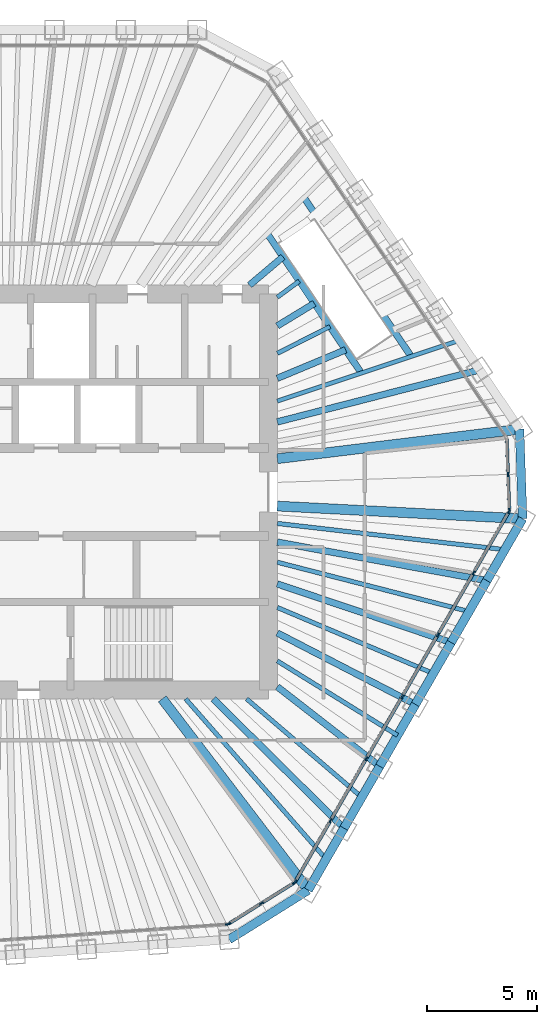
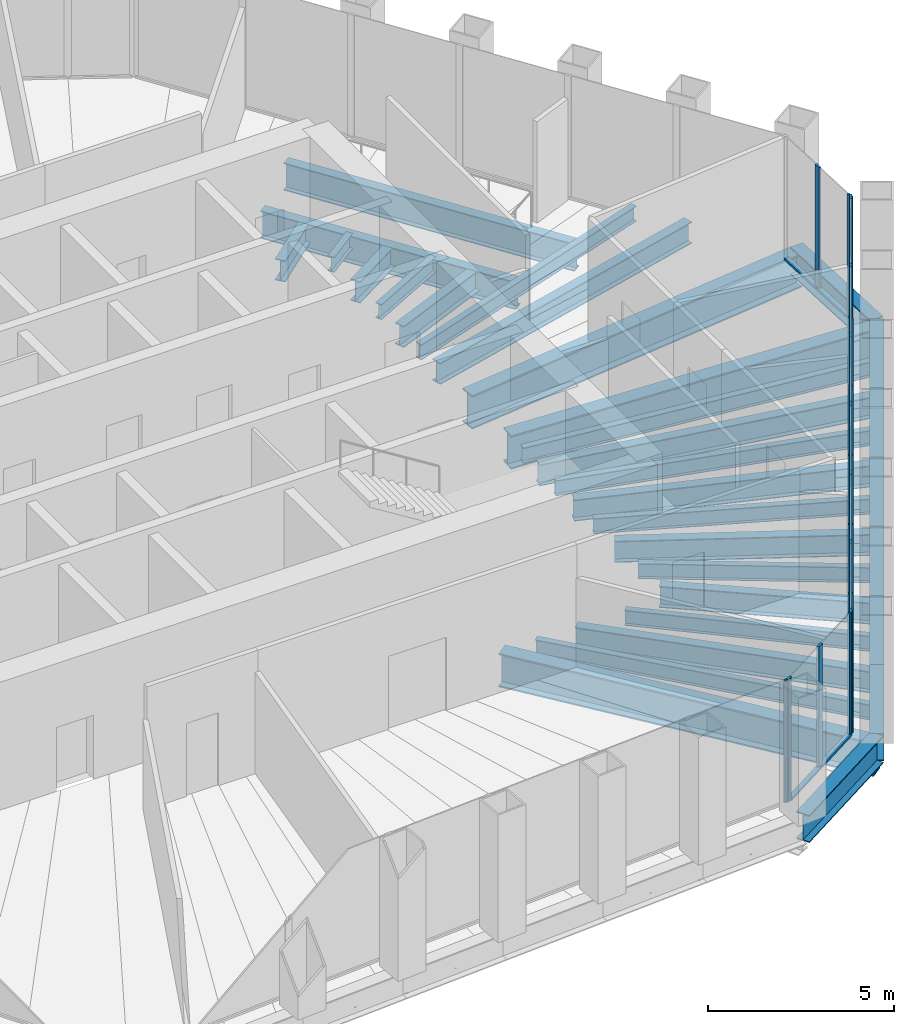
# One storey, part 7 of 17: 31 beams, 23 members, 4 elements without a shape of their own.
"""IFC4 building model written with IfcOpenShell, lengths in metres."""

from ifc_helpers import new_model, si_unit, direction, frame, origin, origin_2d, place, context, subcontext, project, spatial, rectangle, i_section, extrude, material, material_profile, profile_set, type_object, element, aggregate, save


model = new_model("IFC4")

# Units and contexts
model_context = context("Model", 3, precision=1e-05, world=origin(), true_north=direction((0.0, 1.0)))
body_context = subcontext(model_context, "Body", "Model", "MODEL_VIEW")
ifc_project = project(units=[si_unit("LENGTHUNIT", "METRE"), si_unit("AREAUNIT", "SQUARE_METRE"), si_unit("VOLUMEUNIT", "CUBIC_METRE"), si_unit("PLANEANGLEUNIT", "RADIAN"), si_unit("MASSUNIT", "GRAM", prefix="KILO")], contexts=[model_context])

# Site, building, storey
site_placement = place(None, origin())
site = spatial("IfcSite", under=ifc_project, at=site_placement, CompositionType="ELEMENT")
building_placement = place(site_placement, origin())
building = spatial("IfcBuilding", under=site, at=building_placement, Name="Qingtian Harvest Tower", CompositionType="ELEMENT")
storey_placement = place(building_placement, frame((0.0, 0.0, 329.199951171875)))
storey = spatial("IfcBuildingStorey", under=building, at=storey_placement, Name="L73", CompositionType="ELEMENT", Elevation=329.199951171875)

# Beams
ifc_material_1 = material(Name="Steel SM570MC", Category="steel")
ifc_material_profile_1 = material_profile(ifc_material_1, i_section(OverallWidth=0.449951171875, OverallDepth=1.10009765625, WebThickness=0.02197265625, FlangeThickness=0.044921875, at=origin_2d()), Name="H1100x450x22x45")
ifc_profile_set_1 = profile_set([ifc_material_profile_1], Name="Steel SM570MC")
beam_type_1 = type_object("IfcBeamType", Name="Corner floor beam FB8 H1100x450x22x45", PredefinedType="BEAM", material=ifc_profile_set_1)
beam_1_placement = place(storey_placement, frame((23.405517578125, 2.85400390625, -0.719970703125), z_axis=(-0.992647039178, -0.121044849583, 0.0), x_axis=(0.121044849583, -0.992647039178, 0.0)))
element("IfcBeam", 1, at=beam_1_placement, inside=storey, type_object=beam_type_1, Name="Floor beam FB8 NE6", PredefinedType="BEAM", context=body_context, shape_type="SweptSolid", body=[
    extrude(i_section(OverallWidth=0.449951171875, OverallDepth=1.10009765625, WebThickness=0.02197265625, FlangeThickness=0.044921875, at=origin_2d()), origin(), (0.0, 0.0, 1.0), 11.087158203125),
])
beam_2_placement = place(storey_placement, frame((23.547607421875, -1.21435546875, -0.719970703125), z_axis=(-0.998672618964, 0.051507282312, 0.0), x_axis=(-0.051507282312, -0.998672618964, 0.0)))
element("IfcBeam", 2, at=beam_2_placement, inside=storey, type_object=beam_type_1, Name="Floor beam FB8 SE0", PredefinedType="BEAM", context=body_context, shape_type="SweptSolid", body=[
    extrude(i_section(OverallWidth=0.449951171875, OverallDepth=1.10009765625, WebThickness=0.02197265625, FlangeThickness=0.044921875, at=origin_2d()), origin(), (0.0, 0.0, 1.0), 11.16259765625),
])
beam_3_placement = place(storey_placement, frame((13.803466796875, -18.091552734375, -0.719970703125), z_axis=(-0.606571927806, 0.795028613572, 0.0), x_axis=(-0.795028613572, -0.606571927806, 0.0)))
element("IfcBeam", 3, at=beam_3_placement, inside=storey, type_object=beam_type_1, Name="Floor beam FB8 SE6", PredefinedType="BEAM", context=body_context, shape_type="SweptSolid", body=[
    extrude(i_section(OverallWidth=0.449951171875, OverallDepth=1.10009765625, WebThickness=0.02197265625, FlangeThickness=0.044921875, at=origin_2d()), origin(), (0.0, 0.0, 1.0), 10.9326171875),
])
ifc_material_2 = material(Name="Steel SN490B", Category="steel")
ifc_material_profile_2 = material_profile(ifc_material_2, i_section(OverallWidth=0.300048828125, OverallDepth=0.699951171875, WebThickness=0.012939453125, FlangeThickness=0.02392578125, at=origin_2d()), Name="H700x300x13x24")
ifc_profile_set_2 = profile_set([ifc_material_profile_2], Name="Steel SN490B")
beam_type_2 = type_object("IfcBeamType", Name="Floor beam FB4 H700x300x13x24", PredefinedType="BEAM", material=ifc_profile_set_2)
beam_4_placement = place(storey_placement, frame((21.58935546875, 5.546630859375, -0.52001953125), z_axis=(-0.96854787986, -0.248827258189, 0.0), x_axis=(0.248827258189, -0.96854787986, 0.0)))
element("IfcBeam", 4, at=beam_4_placement, inside=storey, type_object=beam_type_2, Name="Floor beam FB4 NE5", PredefinedType="BEAM", context=body_context, shape_type="SweptSolid", body=[
    extrude(i_section(OverallWidth=0.300048828125, OverallDepth=0.699951171875, WebThickness=0.012939453125, FlangeThickness=0.02392578125, at=origin_2d()), origin(), (0.0, 0.0, 1.0), 9.48779296875),
])
beam_5_placement = place(storey_placement, frame((21.923583984375, -4.027099609375, -0.52001953125), z_axis=(-0.983546800525, 0.180653511389, 0.0), x_axis=(-0.180653511389, -0.983546800525, 0.0)))
element("IfcBeam", 5, at=beam_5_placement, inside=storey, type_object=beam_type_2, Name="Floor beam FB4 SE1", PredefinedType="BEAM", context=body_context, shape_type="SweptSolid", body=[
    extrude(i_section(OverallWidth=0.300048828125, OverallDepth=0.699951171875, WebThickness=0.012939453125, FlangeThickness=0.02392578125, at=origin_2d()), origin(), (0.0, 0.0, 1.0), 9.68310546875),
])
beam_6_placement = place(storey_placement, frame((20.299560546875, -6.840087890625, -0.52001953125), z_axis=(-0.947647345861, 0.319318818553, 0.0), x_axis=(-0.319318818553, -0.947647345861, 0.0)))
element("IfcBeam", 6, at=beam_6_placement, inside=storey, type_object=beam_type_2, Name="Floor beam FB4 SE2", PredefinedType="BEAM", context=body_context, shape_type="SweptSolid", body=[
    extrude(i_section(OverallWidth=0.300048828125, OverallDepth=0.699951171875, WebThickness=0.012939453125, FlangeThickness=0.02392578125, at=origin_2d()), origin(), (0.0, 0.0, 1.0), 8.336181640625),
])
beam_7_placement = place(storey_placement, frame((18.675537109375, -9.65283203125, -0.52001953125), z_axis=(-0.888354253651, 0.459158708967, 0.0), x_axis=(-0.459158708967, -0.888354253651, 0.0)))
element("IfcBeam", 7, at=beam_7_placement, inside=storey, type_object=beam_type_2, Name="Floor beam FB4 SE3", PredefinedType="BEAM", context=body_context, shape_type="SweptSolid", body=[
    extrude(i_section(OverallWidth=0.300048828125, OverallDepth=0.699951171875, WebThickness=0.012939453125, FlangeThickness=0.02392578125, at=origin_2d()), origin(), (0.0, 0.0, 1.0), 7.064453125),
])
beam_8_placement = place(storey_placement, frame((17.051513671875, -12.4658203125, -0.52001953125), z_axis=(-0.789532919969, 0.613708211029, 0.0), x_axis=(-0.613708211029, -0.789532919969, 0.0)))
element("IfcBeam", 8, at=beam_8_placement, inside=storey, type_object=beam_type_2, Name="Floor beam FB4 SE4", PredefinedType="BEAM", context=body_context, shape_type="SweptSolid", body=[
    extrude(i_section(OverallWidth=0.300048828125, OverallDepth=0.699951171875, WebThickness=0.012939453125, FlangeThickness=0.02392578125, at=origin_2d()), origin(), (0.0, 0.0, 1.0), 5.8916015625),
])
beam_9_placement = place(storey_placement, frame((15.427490234375, -15.278564453125, -0.52001953125), z_axis=(-0.71051769643, 0.703679332552, 0.0), x_axis=(-0.703679332552, -0.71051769643, 0.0)))
element("IfcBeam", 9, at=beam_9_placement, inside=storey, type_object=beam_type_2, Name="Floor beam FB4 SE5", PredefinedType="BEAM", context=body_context, shape_type="SweptSolid", body=[
    extrude(i_section(OverallWidth=0.300048828125, OverallDepth=0.699951171875, WebThickness=0.012939453125, FlangeThickness=0.02392578125, at=origin_2d()), origin(), (0.0, 0.0, 1.0), 8.354248046875),
])
beam_10_placement = place(storey_placement, frame((12.656982421875, 10.684326171875, -0.52001953125), z_axis=(-0.764125269372, -0.645067882247, 0.0), x_axis=(0.645067882247, -0.764125269372, 0.0)))
element("IfcBeam", 10, at=beam_10_placement, inside=storey, type_object=beam_type_2, Name="Floor beam FB4 NE2 (beyond opening)", PredefinedType="BEAM", context=body_context, shape_type="SweptSolid", body=[
    extrude(i_section(OverallWidth=0.300048828125, OverallDepth=0.699951171875, WebThickness=0.012939453125, FlangeThickness=0.02392578125, at=origin_2d()), origin(), (0.0, 0.0, 1.0), 1.9912109375),
])
beam_11_placement = place(storey_placement, frame((14.081298828125, 8.57275390625, -0.52001953125), z_axis=(-0.854148258044, -0.520029569621, 0.0), x_axis=(0.520029569621, -0.854148258044, 0.0)))
element("IfcBeam", 11, at=beam_11_placement, inside=storey, type_object=beam_type_2, Name="Floor beam FB4 NE3 (beyond opening)", PredefinedType="BEAM", context=body_context, shape_type="SweptSolid", body=[
    extrude(i_section(OverallWidth=0.300048828125, OverallDepth=0.699951171875, WebThickness=0.012939453125, FlangeThickness=0.02392578125, at=origin_2d()), origin(), (0.0, 0.0, 1.0), 1.968505859375),
])
beam_12_placement = place(storey_placement, frame((15.505615234375, 6.461181640625, -0.52001953125), z_axis=(-0.923061894728, -0.384651450668, 0.0), x_axis=(0.384651450668, -0.923061894728, 0.0)))
element("IfcBeam", 12, at=beam_12_placement, inside=storey, type_object=beam_type_2, Name="Floor beam FB4 NE4 (beyond opening)", PredefinedType="BEAM", context=body_context, shape_type="SweptSolid", body=[
    extrude(i_section(OverallWidth=0.300048828125, OverallDepth=0.699951171875, WebThickness=0.012939453125, FlangeThickness=0.02392578125, at=origin_2d()), origin(), (0.0, 0.0, 1.0), 3.364501953125),
])
ifc_material_3 = material(Name="Steel SN490B", Category="steel")
ifc_material_profile_3 = material_profile(ifc_material_3, i_section(OverallWidth=0.199951171875, OverallDepth=0.5, WebThickness=0.010009765625, FlangeThickness=0.01611328125, at=origin_2d()), Name="H500x200x10x16")
ifc_profile_set_3 = profile_set([ifc_material_profile_3], Name="Steel SN490B")
beam_type_3 = type_object("IfcBeamType", Name="Floor joist J3 H500x200x10x16", PredefinedType="JOIST", material=ifc_profile_set_3)
beam_13_placement = place(storey_placement, frame((20.68115234375, 6.89306640625, -0.419921875), z_axis=(-0.948688891587, -0.316210984914, 0.0), x_axis=(0.316210984914, -0.948688891587, 0.0)))
element("IfcBeam", 13, at=beam_13_placement, inside=storey, type_object=beam_type_3, Name="Floor joist J3 NE4", PredefinedType="JOIST", context=body_context, shape_type="SweptSolid", body=[
    extrude(i_section(OverallWidth=0.199951171875, OverallDepth=0.5, WebThickness=0.010009765625, FlangeThickness=0.01611328125, at=origin_2d()), origin(), (0.0, 0.0, 1.0), 8.729248046875),
])
beam_14_placement = place(storey_placement, frame((22.735595703125, -2.62060546875, -0.419921875), z_axis=(-0.993421775836, 0.114512773499, 0.0), x_axis=(-0.114512773499, -0.993421775836, 0.0)))
element("IfcBeam", 14, at=beam_14_placement, inside=storey, type_object=beam_type_3, Name="Floor joist J3 SE0", PredefinedType="JOIST", context=body_context, shape_type="SweptSolid", body=[
    extrude(i_section(OverallWidth=0.199951171875, OverallDepth=0.5, WebThickness=0.010009765625, FlangeThickness=0.01611328125, at=origin_2d()), origin(), (0.0, 0.0, 1.0), 10.404052734375),
])
beam_15_placement = place(storey_placement, frame((21.111572265625, -5.43359375, -0.419921875), z_axis=(-0.968438109541, 0.249254143374, 0.0), x_axis=(-0.249254143374, -0.968438109541, 0.0)))
element("IfcBeam", 15, at=beam_15_placement, inside=storey, type_object=beam_type_3, Name="Floor joist J3 SE1", PredefinedType="JOIST", context=body_context, shape_type="SweptSolid", body=[
    extrude(i_section(OverallWidth=0.199951171875, OverallDepth=0.5, WebThickness=0.010009765625, FlangeThickness=0.01611328125, at=origin_2d()), origin(), (0.0, 0.0, 1.0), 8.99560546875),
])
beam_16_placement = place(storey_placement, frame((19.487548828125, -8.246337890625, -0.419921875), z_axis=(-0.92094842321, 0.389684490052, 0.0), x_axis=(-0.389684490052, -0.92094842321, 0.0)))
element("IfcBeam", 16, at=beam_16_placement, inside=storey, type_object=beam_type_3, Name="Floor joist J3 SE2", PredefinedType="JOIST", context=body_context, shape_type="SweptSolid", body=[
    extrude(i_section(OverallWidth=0.199951171875, OverallDepth=0.5, WebThickness=0.010009765625, FlangeThickness=0.01611328125, at=origin_2d()), origin(), (0.0, 0.0, 1.0), 7.696044921875),
])
beam_17_placement = place(storey_placement, frame((17.863525390625, -11.059326171875, -0.419921875), z_axis=(-0.850242474743, 0.526391236765, 0.0), x_axis=(-0.526391236765, -0.850242474743, 0.0)))
element("IfcBeam", 17, at=beam_17_placement, inside=storey, type_object=beam_type_3, Name="Floor joist J3 SE3", PredefinedType="JOIST", context=body_context, shape_type="SweptSolid", body=[
    extrude(i_section(OverallWidth=0.199951171875, OverallDepth=0.5, WebThickness=0.010009765625, FlangeThickness=0.01611328125, at=origin_2d()), origin(), (0.0, 0.0, 1.0), 6.426025390625),
])
beam_18_placement = place(storey_placement, frame((16.239501953125, -13.8720703125, -0.419921875), z_axis=(-0.760351789284, 0.649511475289, 0.0), x_axis=(-0.649511475289, -0.760351789284, 0.0)))
element("IfcBeam", 18, at=beam_18_placement, inside=storey, type_object=beam_type_3, Name="Floor joist J3 SE4", PredefinedType="JOIST", context=body_context, shape_type="SweptSolid", body=[
    extrude(i_section(OverallWidth=0.199951171875, OverallDepth=0.5, WebThickness=0.010009765625, FlangeThickness=0.01611328125, at=origin_2d()), origin(), (0.0, 0.0, 1.0), 6.885498046875),
])
beam_19_placement = place(storey_placement, frame((14.615478515625, -16.68505859375, -0.419921875), z_axis=(-0.658904284354, 0.75222679031, 0.0), x_axis=(-0.75222679031, -0.658904284354, 0.0)))
element("IfcBeam", 19, at=beam_19_placement, inside=storey, type_object=beam_type_3, Name="Floor joist J3 SE5", PredefinedType="JOIST", context=body_context, shape_type="SweptSolid", body=[
    extrude(i_section(OverallWidth=0.199951171875, OverallDepth=0.5, WebThickness=0.010009765625, FlangeThickness=0.01611328125, at=origin_2d()), origin(), (0.0, 0.0, 1.0), 9.684814453125),
])
beam_20_placement = place(storey_placement, frame((13.39794921875, 9.5859375, -0.419921875), z_axis=(-0.80488754683, -0.593427364517, 0.0), x_axis=(0.593427364517, -0.80488754683, 0.0)))
element("IfcBeam", 20, at=beam_20_placement, inside=storey, type_object=beam_type_3, Name="Floor joist J3 NE2 (beyond opening)", PredefinedType="JOIST", context=body_context, shape_type="SweptSolid", body=[
    extrude(i_section(OverallWidth=0.199951171875, OverallDepth=0.5, WebThickness=0.010009765625, FlangeThickness=0.01611328125, at=origin_2d()), origin(), (0.0, 0.0, 1.0), 1.239990234375),
])
beam_21_placement = place(storey_placement, frame((14.79345703125, 7.516845703125, -0.419921875), z_axis=(-0.891535153533, -0.452951509562, 0.0), x_axis=(0.452951509562, -0.891535153533, 0.0)))
element("IfcBeam", 21, at=beam_21_placement, inside=storey, type_object=beam_type_3, Name="Floor joist J3 NE3 (beyond opening)", PredefinedType="JOIST", context=body_context, shape_type="SweptSolid", body=[
    extrude(i_section(OverallWidth=0.199951171875, OverallDepth=0.5, WebThickness=0.010009765625, FlangeThickness=0.01611328125, at=origin_2d()), origin(), (0.0, 0.0, 1.0), 2.684814453125),
])

# Curtain wall, members
ifc_material_4 = material(Name="Bronze-anodised aluminium curtain wall", Category="aluminium")
curtain_wall_type = type_object("IfcCurtainWallType", Name="Curtain wall CW6 executive floors", PredefinedType="USERDEFINED", material=ifc_material_4)
curtain_wall_1_placement = place(storey_placement, origin())
curtain_wall_1 = element("IfcCurtainWall", 22, at=curtain_wall_1_placement, inside=storey, type_object=curtain_wall_type, Name="Curtain wall CW6 L73 NEC", ObjectType="RECESSED CURTAIN WALL", PredefinedType="USERDEFINED")
ifc_material_5 = material(Name="Bronze-anodised aluminium mullion", Category="aluminium")
ifc_material_profile_4 = material_profile(ifc_material_5, rectangle(XDim=0.06494140625, YDim=0.199951171875, at=origin_2d()), Name="AL 65x200")
ifc_profile_set_4 = profile_set([ifc_material_profile_4], Name="Bronze-anodised aluminium mullion")
member_type_1 = type_object("IfcMemberType", Name="Mullion CWM 65x200", PredefinedType="MULLION", material=ifc_profile_set_4)
member_1_placement = place(storey_placement, frame((22.88330078125, 0.799072265625, 0.0), z_axis=(0.0, 0.0, 1.0), x_axis=(0.999390827019, 0.034899496703, 0.0)))
member_1 = element("IfcMember", 23, at=member_1_placement, type_object=member_type_1, Name="CW6 mullion 2", PredefinedType="MULLION", context=body_context, shape_type="SweptSolid", body=[
    extrude(rectangle(XDim=0.06494140625, YDim=0.199951171875, at=origin_2d()), origin(), (0.0, 0.0, 1.0), 4.030029296875),
])
member_2_placement = place(storey_placement, frame((22.9404296875, -0.831787109375, 0.0), z_axis=(0.0, 0.0, 1.0), x_axis=(0.999390827019, 0.034899496703, 0.0)))
member_2 = element("IfcMember", 24, at=member_2_placement, type_object=member_type_1, Name="CW6 mullion 3", PredefinedType="MULLION", context=body_context, shape_type="SweptSolid", body=[
    extrude(rectangle(XDim=0.06494140625, YDim=0.199951171875, at=origin_2d()), origin(), (0.0, 0.0, 1.0), 4.030029296875),
])

curtain_wall_2_placement = place(storey_placement, origin())
curtain_wall_2 = element("IfcCurtainWall", 25, at=curtain_wall_2_placement, inside=storey, type_object=curtain_wall_type, Name="Curtain wall CW6 L73 SE0-5", ObjectType="RECESSED CURTAIN WALL", PredefinedType="USERDEFINED")
member_3_placement = place(storey_placement, frame((22.92529296875, -0.892333984375, 0.0), z_axis=(0.0, 0.0, 1.0), x_axis=(0.866025403784, -0.5, 0.0)))
member_3 = element("IfcMember", 26, at=member_3_placement, type_object=member_type_1, Name="CW6 mullion 1", PredefinedType="MULLION", context=body_context, shape_type="SweptSolid", body=[
    extrude(rectangle(XDim=0.06494140625, YDim=0.199951171875, at=origin_2d()), origin(), (0.0, 0.0, 1.0), 4.030029296875),
])
member_4_placement = place(storey_placement, frame((21.3173828125, -3.67724609375, 0.0), z_axis=(0.0, 0.0, 1.0), x_axis=(0.866025403784, -0.5, 0.0)))
member_4 = element("IfcMember", 27, at=member_4_placement, type_object=member_type_1, Name="CW6 mullion 2", PredefinedType="MULLION", context=body_context, shape_type="SweptSolid", body=[
    extrude(rectangle(XDim=0.06494140625, YDim=0.199951171875, at=origin_2d()), origin(), (0.0, 0.0, 1.0), 4.030029296875),
])
member_5_placement = place(storey_placement, frame((19.693359375, -6.489990234375, 0.0), z_axis=(0.0, 0.0, 1.0), x_axis=(0.866025403784, -0.5, 0.0)))
member_5 = element("IfcMember", 28, at=member_5_placement, type_object=member_type_1, Name="CW6 mullion 3", PredefinedType="MULLION", context=body_context, shape_type="SweptSolid", body=[
    extrude(rectangle(XDim=0.06494140625, YDim=0.199951171875, at=origin_2d()), origin(), (0.0, 0.0, 1.0), 4.030029296875),
])
member_6_placement = place(storey_placement, frame((18.0693359375, -9.302978515625, 0.0), z_axis=(0.0, 0.0, 1.0), x_axis=(0.866025403784, -0.5, 0.0)))
member_6 = element("IfcMember", 29, at=member_6_placement, type_object=member_type_1, Name="CW6 mullion 4", PredefinedType="MULLION", context=body_context, shape_type="SweptSolid", body=[
    extrude(rectangle(XDim=0.06494140625, YDim=0.199951171875, at=origin_2d()), origin(), (0.0, 0.0, 1.0), 4.030029296875),
])
member_7_placement = place(storey_placement, frame((16.4453125, -12.11572265625, 0.0), z_axis=(0.0, 0.0, 1.0), x_axis=(0.866025403784, -0.5, 0.0)))
member_7 = element("IfcMember", 30, at=member_7_placement, type_object=member_type_1, Name="CW6 mullion 5", PredefinedType="MULLION", context=body_context, shape_type="SweptSolid", body=[
    extrude(rectangle(XDim=0.06494140625, YDim=0.199951171875, at=origin_2d()), origin(), (0.0, 0.0, 1.0), 4.030029296875),
])
member_8_placement = place(storey_placement, frame((14.8212890625, -14.9287109375, 0.0), z_axis=(0.0, 0.0, 1.0), x_axis=(0.866025403784, -0.5, 0.0)))
member_8 = element("IfcMember", 31, at=member_8_placement, type_object=member_type_1, Name="CW6 mullion 6", PredefinedType="MULLION", context=body_context, shape_type="SweptSolid", body=[
    extrude(rectangle(XDim=0.06494140625, YDim=0.199951171875, at=origin_2d()), origin(), (0.0, 0.0, 1.0), 4.030029296875),
])
member_9_placement = place(storey_placement, frame((13.213623046875, -17.71337890625, 0.0), z_axis=(0.0, 0.0, 1.0), x_axis=(0.866025403784, -0.5, 0.0)))
member_9 = element("IfcMember", 32, at=member_9_placement, type_object=member_type_1, Name="CW6 mullion 7", PredefinedType="MULLION", context=body_context, shape_type="SweptSolid", body=[
    extrude(rectangle(XDim=0.06494140625, YDim=0.199951171875, at=origin_2d()), origin(), (0.0, 0.0, 1.0), 4.030029296875),
])

curtain_wall_3_placement = place(storey_placement, origin())
curtain_wall_3 = element("IfcCurtainWall", 33, at=curtain_wall_3_placement, inside=storey, type_object=curtain_wall_type, Name="Curtain wall CW6 L73 SEC", ObjectType="RECESSED CURTAIN WALL", PredefinedType="USERDEFINED")
member_10_placement = place(storey_placement, frame((13.169921875, -17.7587890625, 0.0), z_axis=(0.0, 0.0, 1.0), x_axis=(0.529919264233, -0.848048096156, 0.0)))
member_10 = element("IfcMember", 34, at=member_10_placement, type_object=member_type_1, Name="CW6 mullion 1", PredefinedType="MULLION", context=body_context, shape_type="SweptSolid", body=[
    extrude(rectangle(XDim=0.06494140625, YDim=0.199951171875, at=origin_2d()), origin(), (0.0, 0.0, 1.0), 4.030029296875),
])
member_11_placement = place(storey_placement, frame((11.678955078125, -18.690185546875, 0.0), z_axis=(0.0, 0.0, 1.0), x_axis=(0.529919264233, -0.848048096156, 0.0)))
member_11 = element("IfcMember", 35, at=member_11_placement, type_object=member_type_1, Name="CW6 mullion 2", PredefinedType="MULLION", context=body_context, shape_type="SweptSolid", body=[
    extrude(rectangle(XDim=0.06494140625, YDim=0.199951171875, at=origin_2d()), origin(), (0.0, 0.0, 1.0), 4.030029296875),
])
member_12_placement = place(storey_placement, frame((10.188232421875, -19.621826171875, 0.0), z_axis=(0.0, 0.0, 1.0), x_axis=(0.529919264233, -0.848048096156, 0.0)))
member_12 = element("IfcMember", 36, at=member_12_placement, type_object=member_type_1, Name="CW6 mullion 3", PredefinedType="MULLION", context=body_context, shape_type="SweptSolid", body=[
    extrude(rectangle(XDim=0.06494140625, YDim=0.199951171875, at=origin_2d()), origin(), (0.0, 0.0, 1.0), 4.030029296875),
])

# Curtain wall, member
curtain_wall_4_placement = place(storey_placement, origin())
curtain_wall_4 = element("IfcCurtainWall", 37, at=curtain_wall_4_placement, inside=storey, type_object=curtain_wall_type, Name="Curtain wall CW6 L73 S0-5", ObjectType="RECESSED CURTAIN WALL", PredefinedType="USERDEFINED")
member_13_placement = place(storey_placement, frame((10.128173828125, -19.641357421875, 0.0), z_axis=(0.0, 0.0, 1.0), x_axis=(0.069756473744, -0.99756405026, 0.0)))
member_13 = element("IfcMember", 38, at=member_13_placement, type_object=member_type_1, Name="CW6 mullion 1", PredefinedType="MULLION", context=body_context, shape_type="SweptSolid", body=[
    extrude(rectangle(XDim=0.06494140625, YDim=0.199951171875, at=origin_2d()), origin(), (0.0, 0.0, 1.0), 4.030029296875),
])
aggregate(curtain_wall_4, [member_13])

# Beams
ifc_material_6 = material(Name="Steel SN490B", Category="steel")
ifc_material_profile_5 = material_profile(ifc_material_6, i_section(OverallWidth=0.39990234375, OverallDepth=0.89990234375, WebThickness=0.01904296875, FlangeThickness=0.035888671875, at=origin_2d()), Name="H900x400x19x36")
ifc_profile_set_5 = profile_set([ifc_material_profile_5], Name="Steel SN490B")
beam_type_4 = type_object("IfcBeamType", Name="Spandrel beam SB4 H900x400x19x36", PredefinedType="SPANDREL", material=ifc_profile_set_5)
beam_22_placement = place(storey_placement, frame((23.405517578125, 2.85400390625, -0.449951171875), z_axis=(0.034904306503, -0.999390659046, 0.0), x_axis=(0.999390659046, 0.034904306503, 0.0)))
element("IfcBeam", 39, at=beam_22_placement, inside=storey, type_object=beam_type_4, Name="Spandrel SB4 NEC", PredefinedType="SPANDREL", context=body_context, shape_type="SweptSolid", body=[
    extrude(i_section(OverallWidth=0.39990234375, OverallDepth=0.89990234375, WebThickness=0.01904296875, FlangeThickness=0.035888671875, at=origin_2d()), origin(), (0.0, 0.0, 1.0), 4.07080078125),
])
beam_23_placement = place(storey_placement, frame((23.547607421875, -1.21435546875, -0.449951171875), z_axis=(-0.500019593356, -0.866014091259, 0.0), x_axis=(0.866014091259, -0.500019593356, 0.0)))
element("IfcBeam", 40, at=beam_23_placement, inside=storey, type_object=beam_type_4, Name="Spandrel SB4 SE0", PredefinedType="SPANDREL", context=body_context, shape_type="SweptSolid", body=[
    extrude(i_section(OverallWidth=0.39990234375, OverallDepth=0.89990234375, WebThickness=0.01904296875, FlangeThickness=0.035888671875, at=origin_2d()), origin(), (0.0, 0.0, 1.0), 3.247802734375),
])
beam_24_placement = place(storey_placement, frame((21.923583984375, -4.027099609375, -0.449951171875), z_axis=(-0.499987045439, -0.866032882975, 0.0), x_axis=(0.866032882975, -0.499987045439, 0.0)))
element("IfcBeam", 41, at=beam_24_placement, inside=storey, type_object=beam_type_4, Name="Spandrel SB4 SE1", PredefinedType="SPANDREL", context=body_context, shape_type="SweptSolid", body=[
    extrude(i_section(OverallWidth=0.39990234375, OverallDepth=0.89990234375, WebThickness=0.01904296875, FlangeThickness=0.035888671875, at=origin_2d()), origin(), (0.0, 0.0, 1.0), 3.248046875),
])
beam_25_placement = place(storey_placement, frame((20.299560546875, -6.840087890625, -0.449951171875), z_axis=(-0.500019593356, -0.866014091259, 0.0), x_axis=(0.866014091259, -0.500019593356, 0.0)))
element("IfcBeam", 42, at=beam_25_placement, inside=storey, type_object=beam_type_4, Name="Spandrel SB4 SE2", PredefinedType="SPANDREL", context=body_context, shape_type="SweptSolid", body=[
    extrude(i_section(OverallWidth=0.39990234375, OverallDepth=0.89990234375, WebThickness=0.01904296875, FlangeThickness=0.035888671875, at=origin_2d()), origin(), (0.0, 0.0, 1.0), 3.247802734375),
])
beam_26_placement = place(storey_placement, frame((18.675537109375, -9.65283203125, -0.449951171875), z_axis=(-0.499987045439, -0.866032882975, 0.0), x_axis=(0.866032882975, -0.499987045439, 0.0)))
element("IfcBeam", 43, at=beam_26_placement, inside=storey, type_object=beam_type_4, Name="Spandrel SB4 SE3", PredefinedType="SPANDREL", context=body_context, shape_type="SweptSolid", body=[
    extrude(i_section(OverallWidth=0.39990234375, OverallDepth=0.89990234375, WebThickness=0.01904296875, FlangeThickness=0.035888671875, at=origin_2d()), origin(), (0.0, 0.0, 1.0), 3.248046875),
])
beam_27_placement = place(storey_placement, frame((17.051513671875, -12.4658203125, -0.449951171875), z_axis=(-0.500019593356, -0.866014091259, 0.0), x_axis=(0.866014091259, -0.500019593356, 0.0)))
element("IfcBeam", 44, at=beam_27_placement, inside=storey, type_object=beam_type_4, Name="Spandrel SB4 SE4", PredefinedType="SPANDREL", context=body_context, shape_type="SweptSolid", body=[
    extrude(i_section(OverallWidth=0.39990234375, OverallDepth=0.89990234375, WebThickness=0.01904296875, FlangeThickness=0.035888671875, at=origin_2d()), origin(), (0.0, 0.0, 1.0), 3.247802734375),
])
beam_28_placement = place(storey_placement, frame((15.427490234375, -15.278564453125, -0.449951171875), z_axis=(-0.499987045439, -0.866032882975, 0.0), x_axis=(0.866032882975, -0.499987045439, 0.0)))
element("IfcBeam", 45, at=beam_28_placement, inside=storey, type_object=beam_type_4, Name="Spandrel SB4 SE5", PredefinedType="SPANDREL", context=body_context, shape_type="SweptSolid", body=[
    extrude(i_section(OverallWidth=0.39990234375, OverallDepth=0.89990234375, WebThickness=0.01904296875, FlangeThickness=0.035888671875, at=origin_2d()), origin(), (0.0, 0.0, 1.0), 3.248046875),
])
beam_29_placement = place(storey_placement, frame((13.803466796875, -18.091552734375, -0.449951171875), z_axis=(-0.848040374245, -0.529931621675, 0.0), x_axis=(0.529931621675, -0.848040374245, 0.0)))
element("IfcBeam", 46, at=beam_29_placement, inside=storey, type_object=beam_type_4, Name="Spandrel SB4 SEC", PredefinedType="SPANDREL", context=body_context, shape_type="SweptSolid", body=[
    extrude(i_section(OverallWidth=0.39990234375, OverallDepth=0.89990234375, WebThickness=0.01904296875, FlangeThickness=0.035888671875, at=origin_2d()), origin(), (0.0, 0.0, 1.0), 4.238037109375),
])

# Member
ifc_material_7 = material(Name="Bronze-anodised aluminium transom", Category="aluminium")
ifc_material_profile_6 = material_profile(ifc_material_7, rectangle(XDim=0.14990234375, YDim=0.06494140625, at=origin_2d()), Name="AL 65x150")
ifc_profile_set_6 = profile_set([ifc_material_profile_6], Name="Bronze-anodised aluminium transom")
member_type_2 = type_object("IfcMemberType", Name="Transom CWT 65x150", PredefinedType="USERDEFINED", material=ifc_profile_set_6)
member_14_placement = place(storey_placement, frame((22.82763671875, 2.3974609375, 0.032470703125), z_axis=(0.034902326647, -0.999390728191, 0.0), x_axis=(0.999390728191, 0.034902326647, 0.0)))
member_14 = element("IfcMember", 47, at=member_14_placement, type_object=member_type_2, Name="CW6 transom 1.1", ObjectType="TRANSOM", PredefinedType="USERDEFINED", context=body_context, shape_type="SweptSolid", body=[
    extrude(rectangle(XDim=0.14990234375, YDim=0.06494140625, at=origin_2d()), origin(), (0.0, 0.0, 1.0), 1.56689453125),
])

member_15_placement = place(storey_placement, frame((22.884521484375, 0.7666015625, 0.032470703125), z_axis=(0.034902326647, -0.999390728191, 0.0), x_axis=(0.999390728191, 0.034902326647, 0.0)))
member_15 = element("IfcMember", 48, at=member_15_placement, type_object=member_type_2, Name="CW6 transom 2.1", ObjectType="TRANSOM", PredefinedType="USERDEFINED", context=body_context, shape_type="SweptSolid", body=[
    extrude(rectangle(XDim=0.14990234375, YDim=0.06494140625, at=origin_2d()), origin(), (0.0, 0.0, 1.0), 1.56689453125),
])

aggregate(curtain_wall_1, [member_1, member_2, member_14, member_15])

member_16_placement = place(storey_placement, frame((22.908935546875, -0.920654296875, 0.032470703125), z_axis=(-0.50000643655, -0.866021687608, 0.0), x_axis=(0.866021687608, -0.50000643655, 0.0)))
member_16 = element("IfcMember", 49, at=member_16_placement, type_object=member_type_2, Name="CW6 transom 1.1", ObjectType="TRANSOM", PredefinedType="USERDEFINED", context=body_context, shape_type="SweptSolid", body=[
    extrude(rectangle(XDim=0.14990234375, YDim=0.06494140625, at=origin_2d()), origin(), (0.0, 0.0, 1.0), 3.150390625),
])

member_17_placement = place(storey_placement, frame((21.30126953125, -3.705322265625, 0.032470703125), z_axis=(-0.5000079448, -0.866020816803, 0.0), x_axis=(0.866020816803, -0.5000079448, 0.0)))
member_17 = element("IfcMember", 50, at=member_17_placement, type_object=member_type_2, Name="CW6 transom 2.1", ObjectType="TRANSOM", PredefinedType="USERDEFINED", context=body_context, shape_type="SweptSolid", body=[
    extrude(rectangle(XDim=0.14990234375, YDim=0.06494140625, at=origin_2d()), origin(), (0.0, 0.0, 1.0), 3.18310546875),
])

member_18_placement = place(storey_placement, frame((19.67724609375, -6.51806640625, 0.032470703125), z_axis=(-0.5000079448, -0.866020816803, 0.0), x_axis=(0.866020816803, -0.5000079448, 0.0)))
member_18 = element("IfcMember", 51, at=member_18_placement, type_object=member_type_2, Name="CW6 transom 3.1", ObjectType="TRANSOM", PredefinedType="USERDEFINED", context=body_context, shape_type="SweptSolid", body=[
    extrude(rectangle(XDim=0.14990234375, YDim=0.06494140625, at=origin_2d()), origin(), (0.0, 0.0, 1.0), 3.18310546875),
])

member_19_placement = place(storey_placement, frame((18.05322265625, -9.3310546875, 0.032470703125), z_axis=(-0.5000079448, -0.866020816803, 0.0), x_axis=(0.866020816803, -0.5000079448, 0.0)))
member_19 = element("IfcMember", 52, at=member_19_placement, type_object=member_type_2, Name="CW6 transom 4.1", ObjectType="TRANSOM", PredefinedType="USERDEFINED", context=body_context, shape_type="SweptSolid", body=[
    extrude(rectangle(XDim=0.14990234375, YDim=0.06494140625, at=origin_2d()), origin(), (0.0, 0.0, 1.0), 3.18310546875),
])

member_20_placement = place(storey_placement, frame((16.42919921875, -12.143798828125, 0.032470703125), z_axis=(-0.5000079448, -0.866020816803, 0.0), x_axis=(0.866020816803, -0.5000079448, 0.0)))
member_20 = element("IfcMember", 53, at=member_20_placement, type_object=member_type_2, Name="CW6 transom 5.1", ObjectType="TRANSOM", PredefinedType="USERDEFINED", context=body_context, shape_type="SweptSolid", body=[
    extrude(rectangle(XDim=0.14990234375, YDim=0.06494140625, at=origin_2d()), origin(), (0.0, 0.0, 1.0), 3.18310546875),
])

member_21_placement = place(storey_placement, frame((14.80517578125, -14.956787109375, 0.032470703125), z_axis=(-0.499972881236, -0.866041060244, 0.0), x_axis=(0.866041060244, -0.499972881236, 0.0)))
member_21 = element("IfcMember", 54, at=member_21_placement, type_object=member_type_2, Name="CW6 transom 6.1", ObjectType="TRANSOM", PredefinedType="USERDEFINED", context=body_context, shape_type="SweptSolid", body=[
    extrude(rectangle(XDim=0.14990234375, YDim=0.06494140625, at=origin_2d()), origin(), (0.0, 0.0, 1.0), 3.150634765625),
])

aggregate(curtain_wall_2, [member_3, member_4, member_5, member_6, member_7, member_8, member_9, member_16, member_17, member_18, member_19, member_20, member_21])

member_22_placement = place(storey_placement, frame((13.142333984375, -17.77587890625, 0.032470703125), z_axis=(-0.84803880708, -0.529934129573, 0.0), x_axis=(0.529934129573, -0.84803880708, 0.0)))
member_22 = element("IfcMember", 55, at=member_22_placement, type_object=member_type_2, Name="CW6 transom 1.1", ObjectType="TRANSOM", PredefinedType="USERDEFINED", context=body_context, shape_type="SweptSolid", body=[
    extrude(rectangle(XDim=0.14990234375, YDim=0.06494140625, at=origin_2d()), origin(), (0.0, 0.0, 1.0), 1.693115234375),
])

member_23_placement = place(storey_placement, frame((11.6513671875, -18.70751953125, 0.032470703125), z_axis=(-0.847998304005, -0.529998940003, 0.0), x_axis=(0.529998940003, -0.847998304005, 0.0)))
member_23 = element("IfcMember", 56, at=member_23_placement, type_object=member_type_2, Name="CW6 transom 2.1", ObjectType="TRANSOM", PredefinedType="USERDEFINED", context=body_context, shape_type="SweptSolid", body=[
    extrude(rectangle(XDim=0.14990234375, YDim=0.06494140625, at=origin_2d()), origin(), (0.0, 0.0, 1.0), 1.69287109375),
])

aggregate(curtain_wall_3, [member_10, member_11, member_12, member_22, member_23])

# Beams
ifc_material_8 = material(Name="Steel SN490B", Category="steel")
ifc_material_profile_7 = material_profile(ifc_material_8, i_section(OverallWidth=0.300048828125, OverallDepth=0.89990234375, WebThickness=0.01611328125, FlangeThickness=0.028076171875, at=origin_2d()), Name="H900x300x16x28")
ifc_profile_set_7 = profile_set([ifc_material_profile_7], Name="Steel SN490B")
beam_type_5 = type_object("IfcBeamType", Name="Trimmer beam TB1 H900x300x16x28", PredefinedType="BEAM", material=ifc_profile_set_7)
beam_30_placement = place(storey_placement, frame((18.482666015625, 6.16015625, -0.619873046875), z_axis=(-0.559175727759, 0.82904915746, 0.0), x_axis=(-0.82904915746, -0.559175727759, 0.0)))
element("IfcBeam", 57, at=beam_30_placement, inside=storey, type_object=beam_type_5, Name="Trimmer beam TB1 FS5 1", PredefinedType="BEAM", context=body_context, shape_type="SweptSolid", body=[
    extrude(i_section(OverallWidth=0.300048828125, OverallDepth=0.89990234375, WebThickness=0.01611328125, FlangeThickness=0.028076171875, at=origin_2d()), origin(), (0.0, 0.0, 1.0), 8.708251953125),
])
beam_31_placement = place(storey_placement, frame((16.2177734375, 5.4052734375, -0.619873046875), z_axis=(-0.559204487587, 0.829029758852, 0.0), x_axis=(-0.829029758852, -0.559204487587, 0.0)))
element("IfcBeam", 58, at=beam_31_placement, inside=storey, type_object=beam_type_5, Name="Trimmer beam TB1 FS5 2", PredefinedType="BEAM", context=body_context, shape_type="SweptSolid", body=[
    extrude(i_section(OverallWidth=0.300048828125, OverallDepth=0.89990234375, WebThickness=0.01611328125, FlangeThickness=0.028076171875, at=origin_2d()), origin(), (0.0, 0.0, 1.0), 7.64111328125),
])

save(model, "model.ifc")
